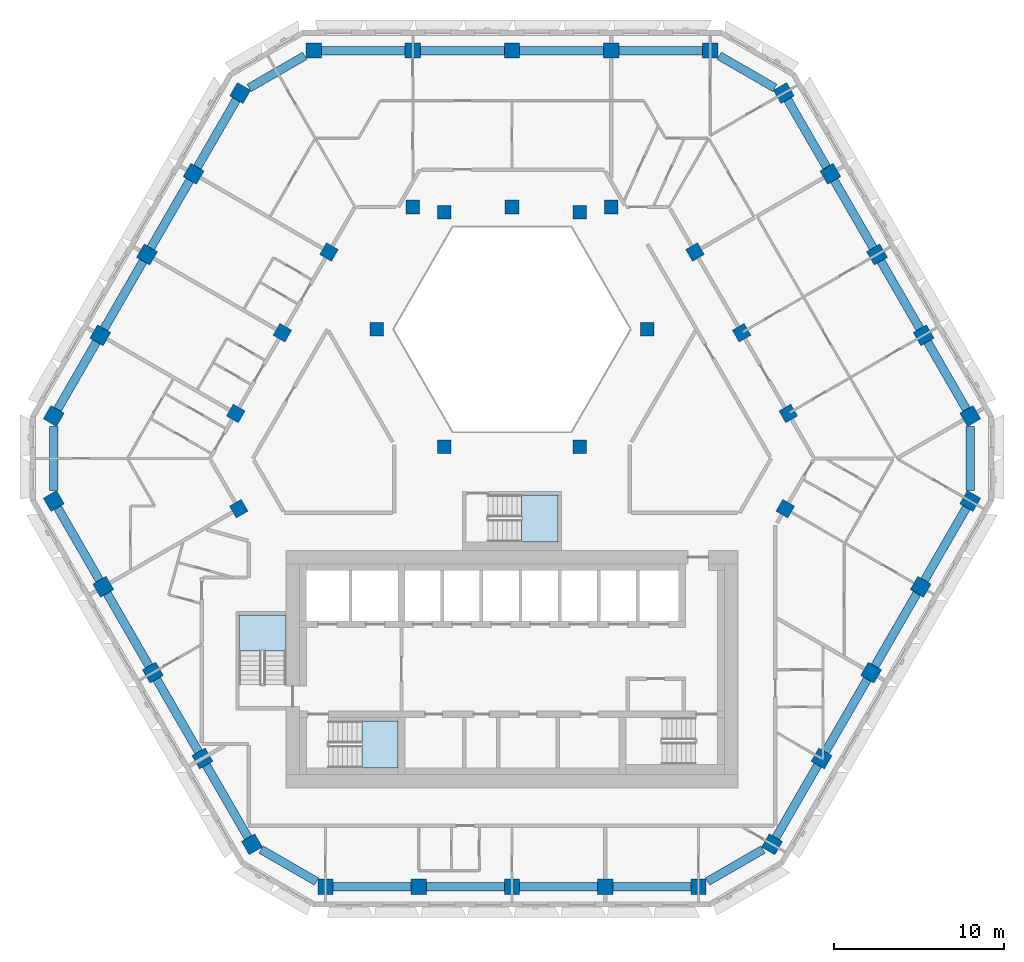
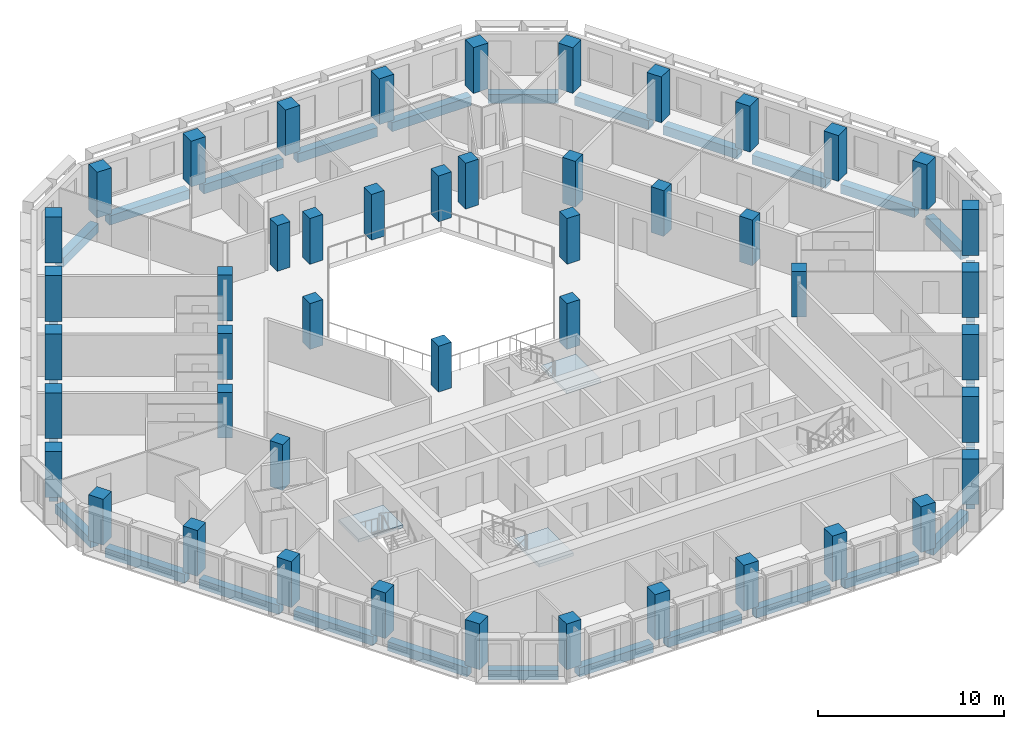
# One storey, part 1 of 17: 47 columns, 30 beams, 3 slabs, 3 elements without a shape of their own.
"""IFC4 building model written with IfcOpenShell, lengths in metres."""

from ifc_helpers import new_model, si_unit, direction, frame, origin, origin_2d, place, context, subcontext, project, spatial, polyline, rectangle, outline, extrude, material, layer, layer_set, material_profile, profile_set, type_object, element, aggregate, save


model = new_model("IFC4")

# Units and contexts
model_context = context("Model", 3, precision=1e-05, world=origin(), true_north=direction((0.0, 1.0)))
body_context = subcontext(model_context, "Body", "Model", "MODEL_VIEW")
ifc_project = project(units=[si_unit("LENGTHUNIT", "METRE"), si_unit("AREAUNIT", "SQUARE_METRE"), si_unit("VOLUMEUNIT", "CUBIC_METRE"), si_unit("PLANEANGLEUNIT", "RADIAN"), si_unit("MASSUNIT", "GRAM", prefix="KILO")], contexts=[model_context])

# Site, building, storey
site_placement = place(None, origin())
site = spatial("IfcSite", under=ifc_project, at=site_placement, CompositionType="ELEMENT")
building_placement = place(site_placement, origin())
building = spatial("IfcBuilding", under=site, at=building_placement, Name="Beryl Residences", CompositionType="ELEMENT")
storey_placement = place(building_placement, frame((0.0, 0.0, 132.60009765625)))
storey = spatial("IfcBuildingStorey", under=building, at=storey_placement, Name="L40", CompositionType="ELEMENT", Elevation=132.60009765625)

# Columns
ifc_material_1 = material(Name="Concrete C60/75", Category="concrete")
ifc_material_profile_1 = material_profile(ifc_material_1, rectangle(XDim=0.89990234375, YDim=0.89990234375, at=origin_2d()))
ifc_profile_set_1 = profile_set([ifc_material_profile_1], Name="Concrete C60/75")
column_type_1 = type_object("IfcColumnType", Name="C3 tube column 900 x 900 C60/75", PredefinedType="COLUMN", material=ifc_profile_set_1)
for number, where, z_axis, x_axis, name in (
    (1, (11.662109375, 24.39990234375, 0.0), (0.0, 0.0, 1.0), (-1.0, 0.0, 0.0), "C3-N1 L40"),
    (2, (5.8310546875, 24.39990234375, 0.0), (0.0, 0.0, 1.0), (-1.0, 0.0, 0.0), "C3-N2 L40"),
    (3, (0.0, 24.39990234375, 0.0), (0.0, 0.0, 1.0), (-1.0, 0.0, 0.0), "C3-N3 L40"),
    (4, (-5.8310546875, 24.39990234375, 0.0), (0.0, 0.0, 1.0), (-1.0, 0.0, 0.0), "C3-N4 L40"),
    (5, (-11.662109375, 24.39990234375, 0.0), (0.0, 0.0, 1.0), (-1.0, 0.0, 0.0), "C3-N5 L40"),
    (6, (-15.992919921875, 21.89990234375, 0.0), (0.0, 0.0, 1.0), (-0.5, -0.866025403784, 0.0), "C3-NW1 L40"),
    (7, (-18.735107421875, 17.14990234375, 0.0), (0.0, 0.0, 1.0), (-0.5, -0.866025403784, 0.0), "C3-NW2 L40"),
    (8, (-21.47802734375, 12.39990234375, 0.0), (0.0, 0.0, 1.0), (-0.5, -0.866025403784, 0.0), "C3-NW3 L40"),
    (9, (-24.219970703125, 7.64990234375, 0.0), (0.0, 0.0, 1.0), (-0.5, -0.866025403784, 0.0), "C3-NW4 L40"),
    (10, (-26.962890625, 2.89990234375, 0.0), (0.0, 0.0, 1.0), (-0.5, -0.866025403784, 0.0), "C3-NW5 L40"),
    (11, (-26.9619140625, -2.10009765625, 0.0), (0.0, 0.0, 1.0), (0.5, -0.866025403784, 0.0), "C3-SW1 L40"),
    (12, (-24.047119140625, -7.14892578125, 0.0), (0.0, 0.0, 1.0), (0.5, -0.866025403784, 0.0), "C3-SW2 L40"),
    (13, (-21.131103515625, -12.198974609375, 0.0), (0.0, 0.0, 1.0), (0.5, -0.866025403784, 0.0), "C3-SW3 L40"),
    (14, (-18.216064453125, -17.2490234375, 0.0), (0.0, 0.0, 1.0), (0.5, -0.866025403784, 0.0), "C3-SW4 L40"),
    (15, (-15.300048828125, -22.299072265625, 0.0), (0.0, 0.0, 1.0), (0.5, -0.866025403784, 0.0), "C3-SW5 L40"),
    (16, (-10.968994140625, -24.800048828125, 0.0), (0.0, 0.0, 1.0), (1.0, 0.0, 0.0), "C3-S1 L40"),
    (17, (-5.48388671875, -24.800048828125, 0.0), (0.0, 0.0, 1.0), (1.0, 0.0, 0.0), "C3-S2 L40"),
    (18, (0.0009765625, -24.800048828125, 0.0), (0.0, 0.0, 1.0), (1.0, 0.0, 0.0), "C3-S3 L40"),
    (19, (5.486083984375, -24.800048828125, 0.0), (0.0, 0.0, 1.0), (1.0, 0.0, 0.0), "C3-S4 L40"),
    (20, (10.970947265625, -24.800048828125, 0.0), (0.0, 0.0, 1.0), (1.0, 0.0, 0.0), "C3-S5 L40"),
    (21, (15.299072265625, -22.300048828125, 0.0), (0.0, 0.0, 1.0), (0.5, 0.866025403784, 0.0), "C3-SE1 L40"),
    (22, (18.215087890625, -17.2509765625, 0.0), (0.0, 0.0, 1.0), (0.5, 0.866025403784, 0.0), "C3-SE2 L40"),
    (23, (21.1298828125, -12.200927734375, 0.0), (0.0, 0.0, 1.0), (0.5, 0.866025403784, 0.0), "C3-SE3 L40"),
    (24, (24.0458984375, -7.15087890625, 0.0), (0.0, 0.0, 1.0), (0.5, 0.866025403784, 0.0), "C3-SE4 L40"),
    (25, (26.9609375, -2.10107421875, 0.0), (0.0, 0.0, 1.0), (0.5, 0.866025403784, 0.0), "C3-SE5 L40"),
    (26, (26.962890625, 2.89990234375, 0.0), (0.0, 0.0, 1.0), (-0.5, 0.866025403784, 0.0), "C3-NE1 L40"),
    (27, (24.219970703125, 7.64990234375, 0.0), (0.0, 0.0, 1.0), (-0.5, 0.866025403784, 0.0), "C3-NE2 L40"),
    (28, (21.47802734375, 12.39990234375, 0.0), (0.0, 0.0, 1.0), (-0.5, 0.866025403784, 0.0), "C3-NE3 L40"),
    (29, (18.735107421875, 17.14990234375, 0.0), (0.0, 0.0, 1.0), (-0.5, 0.866025403784, 0.0), "C3-NE4 L40"),
    (30, (15.992919921875, 21.89990234375, 0.0), (0.0, 0.0, 1.0), (-0.5, 0.866025403784, 0.0), "C3-NE5 L40"),
):
    element("IfcColumn", number, at=place(storey_placement, frame(where, z_axis=z_axis, x_axis=x_axis)), inside=storey, type_object=column_type_1, Name=name, PredefinedType="COLUMN", context=body_context, shape_type="SweptSolid", body=[
        extrude(rectangle(XDim=0.89990234375, YDim=0.89990234375, at=origin_2d()), origin(), (0.0, 0.0, 1.0), 3.0),
    ])
ifc_material_2 = material(Name="Concrete C60/75", Category="concrete")
ifc_material_profile_2 = material_profile(ifc_material_2, rectangle(XDim=0.800048828125, YDim=0.800048828125, at=origin_2d()))
ifc_profile_set_2 = profile_set([ifc_material_profile_2], Name="Concrete C60/75")
column_type_2 = type_object("IfcColumnType", Name="IC3 interior column 800 x 800 C60/75", PredefinedType="COLUMN", material=ifc_profile_set_2)
for number, where, z_axis, x_axis, name in (
    (31, (-16.0791015625, -2.549072265625, 0.0), (0.0, 0.0, 1.0), (0.5, -0.866025403784, 0.0), "IC3-M01 L40"),
    (32, (16.077880859375, -2.551025390625, 0.0), (0.0, 0.0, 1.0), (0.5, 0.866025403784, 0.0), "IC3-M02 L40"),
    (33, (16.2529296875, 3.050048828125, 0.0), (0.0, 0.0, 1.0), (-0.5, 0.866025403784, 0.0), "IC3-M03 L40"),
    (34, (3.98388671875, 1.10009765625, 0.0), (0.0, 0.0, 1.0), (1.0, 0.0, 0.0), "IC3-A04 L40"),
    (35, (13.510009765625, 7.800048828125, 0.0), (0.0, 0.0, 1.0), (-0.5, 0.866025403784, 0.0), "IC3-M05 L40"),
    (36, (7.967041015625, 8.0, 0.0), (0.0, 0.0, 1.0), (1.0, 0.0, 0.0), "IC3-A06 L40"),
    (37, (10.76806640625, 12.550048828125, 0.0), (0.0, 0.0, 1.0), (-0.5, 0.866025403784, 0.0), "IC3-M07 L40"),
    (38, (5.8310546875, 15.199951171875, 0.0), (0.0, 0.0, 1.0), (-1.0, 0.0, 0.0), "IC3-M08 L40"),
    (39, (3.98388671875, 14.89990234375, 0.0), (0.0, 0.0, 1.0), (1.0, 0.0, 0.0), "IC3-A09 L40"),
    (40, (0.0, 15.199951171875, 0.0), (0.0, 0.0, 1.0), (-1.0, 0.0, 0.0), "IC3-M10 L40"),
    (41, (-3.98388671875, 14.89990234375, 0.0), (0.0, 0.0, 1.0), (1.0, 0.0, 0.0), "IC3-A11 L40"),
    (42, (-5.8310546875, 15.199951171875, 0.0), (0.0, 0.0, 1.0), (-1.0, 0.0, 0.0), "IC3-M12 L40"),
    (43, (-10.76806640625, 12.550048828125, 0.0), (0.0, 0.0, 1.0), (-0.5, -0.866025403784, 0.0), "IC3-M13 L40"),
    (44, (-7.967041015625, 8.0, 0.0), (0.0, 0.0, 1.0), (1.0, 0.0, 0.0), "IC3-A14 L40"),
    (45, (-13.510009765625, 7.800048828125, 0.0), (0.0, 0.0, 1.0), (-0.5, -0.866025403784, 0.0), "IC3-M15 L40"),
    (46, (-3.98388671875, 1.10009765625, 0.0), (0.0, 0.0, 1.0), (1.0, 0.0, 0.0), "IC3-A16 L40"),
    (47, (-16.2529296875, 3.050048828125, 0.0), (0.0, 0.0, 1.0), (-0.5, -0.866025403784, 0.0), "IC3-M17 L40"),
):
    element("IfcColumn", number, at=place(storey_placement, frame(where, z_axis=z_axis, x_axis=x_axis)), inside=storey, type_object=column_type_2, Name=name, PredefinedType="COLUMN", context=body_context, shape_type="SweptSolid", body=[
        extrude(rectangle(XDim=0.800048828125, YDim=0.800048828125, at=origin_2d()), origin(), (0.0, 0.0, 1.0), 3.0),
    ])

# Beams
ifc_material_3 = material(Name="Concrete C60/75", Category="concrete")
ifc_material_profile_3 = material_profile(ifc_material_3, rectangle(XDim=0.5, YDim=0.60009765625, at=origin_2d()))
ifc_profile_set_3 = profile_set([ifc_material_profile_3], Name="Concrete C60/75")
beam_type = type_object("IfcBeamType", Name="SB3 spandrel beam 500 x 600 C60/75", PredefinedType="SPANDREL", material=ifc_profile_set_3)
beam_1_placement = place(storey_placement, frame((11.2119140625, 24.39990234375, -0.60009765625), z_axis=(-1.0, 0.0, 0.0), x_axis=(0.0, -1.0, 0.0)))
element("IfcBeam", 48, at=beam_1_placement, inside=storey, type_object=beam_type, Name="SB3 L40 N-0", PredefinedType="SPANDREL", context=body_context, shape_type="SweptSolid", body=[
    extrude(rectangle(XDim=0.5, YDim=0.60009765625, at=origin_2d()), origin(), (0.0, 0.0, 1.0), 4.930908203125),
])
for number, where, z_axis, x_axis, name in (
    (49, (5.381103515625, 24.39990234375, -0.60009765625), (-1.0, 0.0, 0.0), (0.0, -1.0, 0.0), "SB3 L40 N-1"),
    (50, (-0.449951171875, 24.39990234375, -0.60009765625), (-1.0, 0.0, 0.0), (0.0, -1.0, 0.0), "SB3 L40 N-2"),
):
    element("IfcBeam", number, at=place(storey_placement, frame(where, z_axis=z_axis, x_axis=x_axis)), inside=storey, type_object=beam_type, Name=name, PredefinedType="SPANDREL", context=body_context, shape_type="SweptSolid", body=[
        extrude(rectangle(XDim=0.5, YDim=0.60009765625, at=origin_2d()), origin(), (0.0, 0.0, 1.0), 4.93115234375),
    ])
beam_2_placement = place(storey_placement, frame((-6.281005859375, 24.39990234375, -0.60009765625), z_axis=(-1.0, 0.0, 0.0), x_axis=(0.0, -1.0, 0.0)))
element("IfcBeam", 51, at=beam_2_placement, inside=storey, type_object=beam_type, Name="SB3 L40 N-3", PredefinedType="SPANDREL", context=body_context, shape_type="SweptSolid", body=[
    extrude(rectangle(XDim=0.5, YDim=0.60009765625, at=origin_2d()), origin(), (0.0, 0.0, 1.0), 4.930908203125),
])
beam_3_placement = place(storey_placement, frame((-12.194091796875, 24.093017578125, -0.60009765625), z_axis=(-0.866040087317, -0.499974566514, 0.0), x_axis=(0.499974566514, -0.866040087317, 0.0)))
element("IfcBeam", 52, at=beam_3_placement, inside=storey, type_object=beam_type, Name="SB3 L40 N-4", PredefinedType="SPANDREL", context=body_context, shape_type="SweptSolid", body=[
    extrude(rectangle(XDim=0.5, YDim=0.60009765625, at=origin_2d()), origin(), (0.0, 0.0, 1.0), 3.772216796875),
])
beam_4_placement = place(storey_placement, frame((-16.218017578125, 21.510009765625, -0.60009765625), z_axis=(-0.49998830735, -0.866032154434, 0.0), x_axis=(0.866032154434, -0.49998830735, 0.0)))
element("IfcBeam", 53, at=beam_4_placement, inside=storey, type_object=beam_type, Name="SB3 L40 NW-0", PredefinedType="SPANDREL", context=body_context, shape_type="SweptSolid", body=[
    extrude(rectangle(XDim=0.5, YDim=0.60009765625, at=origin_2d()), origin(), (0.0, 0.0, 1.0), 4.583984375),
])
beam_5_placement = place(storey_placement, frame((-18.9599609375, 16.760009765625, -0.60009765625), z_axis=(-0.500148059018, -0.865939904993, 0.0), x_axis=(0.865939904993, -0.500148059018, 0.0)))
element("IfcBeam", 54, at=beam_5_placement, inside=storey, type_object=beam_type, Name="SB3 L40 NW-1", PredefinedType="SPANDREL", context=body_context, shape_type="SweptSolid", body=[
    extrude(rectangle(XDim=0.5, YDim=0.60009765625, at=origin_2d()), origin(), (0.0, 0.0, 1.0), 4.58447265625),
])
beam_6_placement = place(storey_placement, frame((-21.702880859375, 12.010009765625, -0.60009765625), z_axis=(-0.500028250054, -0.866009092994, 0.0), x_axis=(0.866009092994, -0.500028250054, 0.0)))
element("IfcBeam", 55, at=beam_6_placement, inside=storey, type_object=beam_type, Name="SB3 L40 NW-2", PredefinedType="SPANDREL", context=body_context, shape_type="SweptSolid", body=[
    extrude(rectangle(XDim=0.5, YDim=0.60009765625, at=origin_2d()), origin(), (0.0, 0.0, 1.0), 4.584228515625),
])
beam_7_placement = place(storey_placement, frame((-24.445068359375, 7.260009765625, -0.60009765625), z_axis=(-0.500148059018, -0.865939904993, 0.0), x_axis=(0.865939904993, -0.500148059018, 0.0)))
element("IfcBeam", 56, at=beam_7_placement, inside=storey, type_object=beam_type, Name="SB3 L40 NW-3", PredefinedType="SPANDREL", context=body_context, shape_type="SweptSolid", body=[
    extrude(rectangle(XDim=0.5, YDim=0.60009765625, at=origin_2d()), origin(), (0.0, 0.0, 1.0), 4.58447265625),
])
beam_8_placement = place(storey_placement, frame((-26.962890625, 2.285888671875, -0.60009765625), z_axis=(0.000258899668, -0.999999966485, 0.0), x_axis=(0.999999966485, 0.000258899668, 0.0)))
element("IfcBeam", 57, at=beam_8_placement, inside=storey, type_object=beam_type, Name="SB3 L40 NW-4", PredefinedType="SPANDREL", context=body_context, shape_type="SweptSolid", body=[
    extrude(rectangle(XDim=0.5, YDim=0.60009765625, at=origin_2d()), origin(), (0.0, 0.0, 1.0), 3.77197265625),
])
beam_9_placement = place(storey_placement, frame((-26.737060546875, -2.489990234375, -0.60009765625), z_axis=(0.50005397607, -0.865994238443, 0.0), x_axis=(0.865994238443, 0.50005397607, 0.0)))
element("IfcBeam", 58, at=beam_9_placement, inside=storey, type_object=beam_type, Name="SB3 L40 SW-0", PredefinedType="SPANDREL", context=body_context, shape_type="SweptSolid", body=[
    extrude(rectangle(XDim=0.5, YDim=0.60009765625, at=origin_2d()), origin(), (0.0, 0.0, 1.0), 4.9296875),
])
beam_10_placement = place(storey_placement, frame((-23.822021484375, -7.5390625, -0.60009765625), z_axis=(0.500116736097, -0.865957995677, 0.0), x_axis=(0.865957995677, 0.500116736097, 0.0)))
element("IfcBeam", 59, at=beam_10_placement, inside=storey, type_object=beam_type, Name="SB3 L40 SW-1", PredefinedType="SPANDREL", context=body_context, shape_type="SweptSolid", body=[
    extrude(rectangle(XDim=0.5, YDim=0.60009765625, at=origin_2d()), origin(), (0.0, 0.0, 1.0), 4.930908203125),
])
beam_11_placement = place(storey_placement, frame((-20.906005859375, -12.589111328125, -0.60009765625), z_axis=(0.499989643469, -0.866031383048, 0.0), x_axis=(0.866031383048, 0.499989643469, 0.0)))
element("IfcBeam", 60, at=beam_11_placement, inside=storey, type_object=beam_type, Name="SB3 L40 SW-2", PredefinedType="SPANDREL", context=body_context, shape_type="SweptSolid", body=[
    extrude(rectangle(XDim=0.5, YDim=0.60009765625, at=origin_2d()), origin(), (0.0, 0.0, 1.0), 4.93017578125),
])
beam_12_placement = place(storey_placement, frame((-17.990966796875, -17.638916015625, -0.60009765625), z_axis=(0.500116736097, -0.865957995677, 0.0), x_axis=(0.865957995677, 0.500116736097, 0.0)))
element("IfcBeam", 61, at=beam_12_placement, inside=storey, type_object=beam_type, Name="SB3 L40 SW-3", PredefinedType="SPANDREL", context=body_context, shape_type="SweptSolid", body=[
    extrude(rectangle(XDim=0.5, YDim=0.60009765625, at=origin_2d()), origin(), (0.0, 0.0, 1.0), 4.930908203125),
])
beam_13_placement = place(storey_placement, frame((-14.76806640625, -22.60595703125, -0.60009765625), z_axis=(0.865944170592, -0.500140673629, 0.0), x_axis=(0.500140673629, 0.865944170592, 0.0)))
element("IfcBeam", 62, at=beam_13_placement, inside=storey, type_object=beam_type, Name="SB3 L40 SW-4", PredefinedType="SPANDREL", context=body_context, shape_type="SweptSolid", body=[
    extrude(rectangle(XDim=0.5, YDim=0.60009765625, at=origin_2d()), origin(), (0.0, 0.0, 1.0), 3.77294921875),
])
for number, where, z_axis, x_axis, name in (
    (63, (-10.51904296875, -24.800048828125, -0.60009765625), (1.0, 0.0, 0.0), (0.0, 1.0, 0.0), "SB3 L40 S-0"),
    (64, (-5.033935546875, -24.800048828125, -0.60009765625), (1.0, 0.0, 0.0), (0.0, 1.0, 0.0), "SB3 L40 S-1"),
    (65, (0.450927734375, -24.800048828125, -0.60009765625), (1.0, 0.0, 0.0), (0.0, 1.0, 0.0), "SB3 L40 S-2"),
    (66, (5.93603515625, -24.800048828125, -0.60009765625), (1.0, 0.0, 0.0), (0.0, 1.0, 0.0), "SB3 L40 S-3"),
):
    element("IfcBeam", number, at=place(storey_placement, frame(where, z_axis=z_axis, x_axis=x_axis)), inside=storey, type_object=beam_type, Name=name, PredefinedType="SPANDREL", context=body_context, shape_type="SweptSolid", body=[
        extrude(rectangle(XDim=0.5, YDim=0.60009765625, at=origin_2d()), origin(), (0.0, 0.0, 1.0), 4.5849609375),
    ])
beam_14_placement = place(storey_placement, frame((11.5029296875, -24.492919921875, -0.60009765625), z_axis=(0.865861956233, 0.500282992663, 0.0), x_axis=(-0.500282992663, 0.865861956233, 0.0)))
element("IfcBeam", 67, at=beam_14_placement, inside=storey, type_object=beam_type, Name="SB3 L40 S-4", PredefinedType="SPANDREL", context=body_context, shape_type="SweptSolid", body=[
    extrude(rectangle(XDim=0.5, YDim=0.60009765625, at=origin_2d()), origin(), (0.0, 0.0, 1.0), 3.769775390625),
])
beam_15_placement = place(storey_placement, frame((15.52392578125, -21.909912109375, -0.60009765625), z_axis=(0.500223967704, 0.86589605735, 0.0), x_axis=(-0.86589605735, 0.500223967704, 0.0)))
element("IfcBeam", 68, at=beam_15_placement, inside=storey, type_object=beam_type, Name="SB3 L40 SE-0", PredefinedType="SPANDREL", context=body_context, shape_type="SweptSolid", body=[
    extrude(rectangle(XDim=0.5, YDim=0.60009765625, at=origin_2d()), origin(), (0.0, 0.0, 1.0), 4.929931640625),
])
beam_16_placement = place(storey_placement, frame((18.43994140625, -16.861083984375, -0.60009765625), z_axis=(0.499968202334, 0.866043761397, 0.0), x_axis=(-0.866043761397, 0.499968202334, 0.0)))
element("IfcBeam", 69, at=beam_16_placement, inside=storey, type_object=beam_type, Name="SB3 L40 SE-1", PredefinedType="SPANDREL", context=body_context, shape_type="SweptSolid", body=[
    extrude(rectangle(XDim=0.5, YDim=0.60009765625, at=origin_2d()), origin(), (0.0, 0.0, 1.0), 4.930419921875),
])
beam_17_placement = place(storey_placement, frame((21.35498046875, -11.81103515625, -0.60009765625), z_axis=(0.500116736097, 0.865957995677, 0.0), x_axis=(-0.865957995677, 0.500116736097, 0.0)))
element("IfcBeam", 70, at=beam_17_placement, inside=storey, type_object=beam_type, Name="SB3 L40 SE-2", PredefinedType="SPANDREL", context=body_context, shape_type="SweptSolid", body=[
    extrude(rectangle(XDim=0.5, YDim=0.60009765625, at=origin_2d()), origin(), (0.0, 0.0, 1.0), 4.930908203125),
])
beam_18_placement = place(storey_placement, frame((24.27099609375, -6.760986328125, -0.60009765625), z_axis=(0.499968202334, 0.866043761397, 0.0), x_axis=(-0.866043761397, 0.499968202334, 0.0)))
element("IfcBeam", 71, at=beam_18_placement, inside=storey, type_object=beam_type, Name="SB3 L40 SE-3", PredefinedType="SPANDREL", context=body_context, shape_type="SweptSolid", body=[
    extrude(rectangle(XDim=0.5, YDim=0.60009765625, at=origin_2d()), origin(), (0.0, 0.0, 1.0), 4.930419921875),
])
beam_19_placement = place(storey_placement, frame((26.9609375, -1.487060546875, -0.60009765625), z_axis=(0.00051766526, 0.999999866011, 0.0), x_axis=(-0.999999866011, 0.00051766526, 0.0)))
element("IfcBeam", 72, at=beam_19_placement, inside=storey, type_object=beam_type, Name="SB3 L40 SE-4", PredefinedType="SPANDREL", context=body_context, shape_type="SweptSolid", body=[
    extrude(rectangle(XDim=0.5, YDim=0.60009765625, at=origin_2d()), origin(), (0.0, 0.0, 1.0), 3.77294921875),
])
beam_20_placement = place(storey_placement, frame((26.738037109375, 3.2900390625, -0.60009765625), z_axis=(-0.500148059018, 0.865939904993, 0.0), x_axis=(-0.865939904993, -0.500148059018, 0.0)))
element("IfcBeam", 73, at=beam_20_placement, inside=storey, type_object=beam_type, Name="SB3 L40 NE-0", PredefinedType="SPANDREL", context=body_context, shape_type="SweptSolid", body=[
    extrude(rectangle(XDim=0.5, YDim=0.60009765625, at=origin_2d()), origin(), (0.0, 0.0, 1.0), 4.58447265625),
])
beam_21_placement = place(storey_placement, frame((23.9951171875, 8.0400390625, -0.60009765625), z_axis=(-0.500028250054, 0.866009092994, 0.0), x_axis=(-0.866009092994, -0.500028250054, 0.0)))
element("IfcBeam", 74, at=beam_21_placement, inside=storey, type_object=beam_type, Name="SB3 L40 NE-1", PredefinedType="SPANDREL", context=body_context, shape_type="SweptSolid", body=[
    extrude(rectangle(XDim=0.5, YDim=0.60009765625, at=origin_2d()), origin(), (0.0, 0.0, 1.0), 4.584228515625),
])
beam_22_placement = place(storey_placement, frame((21.2529296875, 12.7900390625, -0.60009765625), z_axis=(-0.500148059018, 0.865939904993, 0.0), x_axis=(-0.865939904993, -0.500148059018, 0.0)))
element("IfcBeam", 75, at=beam_22_placement, inside=storey, type_object=beam_type, Name="SB3 L40 NE-2", PredefinedType="SPANDREL", context=body_context, shape_type="SweptSolid", body=[
    extrude(rectangle(XDim=0.5, YDim=0.60009765625, at=origin_2d()), origin(), (0.0, 0.0, 1.0), 4.58447265625),
])
beam_23_placement = place(storey_placement, frame((18.510009765625, 17.5400390625, -0.60009765625), z_axis=(-0.49998830735, 0.866032154434, 0.0), x_axis=(-0.866032154434, -0.49998830735, 0.0)))
element("IfcBeam", 76, at=beam_23_placement, inside=storey, type_object=beam_type, Name="SB3 L40 NE-3", PredefinedType="SPANDREL", context=body_context, shape_type="SweptSolid", body=[
    extrude(rectangle(XDim=0.5, YDim=0.60009765625, at=origin_2d()), origin(), (0.0, 0.0, 1.0), 4.583984375),
])
beam_24_placement = place(storey_placement, frame((15.4609375, 22.20703125, -0.60009765625), z_axis=(-0.866040087317, 0.499974566514, 0.0), x_axis=(-0.499974566514, -0.866040087317, 0.0)))
element("IfcBeam", 77, at=beam_24_placement, inside=storey, type_object=beam_type, Name="SB3 L40 NE-4", PredefinedType="SPANDREL", context=body_context, shape_type="SweptSolid", body=[
    extrude(rectangle(XDim=0.5, YDim=0.60009765625, at=origin_2d()), origin(), (0.0, 0.0, 1.0), 3.772216796875),
])

# Stair, slab
ifc_material_4 = material(Name="Concrete C40/50", Category="concrete")
stair_type = type_object("IfcStairType", Name="ST1 protected exit stair, half-turn, 1300 mm flights", PredefinedType="HALF_TURN_STAIR", material=ifc_material_4)
stair_1_placement = place(storey_placement, origin())
stair_1 = element("IfcStair", 78, at=stair_1_placement, inside=storey, type_object=stair_type, Name="L40 PROTECTED EXIT STAIR ST-1", PredefinedType="HALF_TURN_STAIR")
ifc_material_5 = material(Name="Concrete C40/50", Category="concrete")
ifc_layer = layer(ifc_material_5, 0.199951171875)
ifc_layer_set = layer_set([ifc_layer], Name="SLD1 stair landing 200 mm")
slab_type = type_object("IfcSlabType", Name="SLD1 stair landing 200 mm", PredefinedType="LANDING", material=ifc_layer_set)
slab_1_placement = place(storey_placement, frame((0.0, 0.0, 1.2998046875)))
slab_1 = element("IfcSlab", 79, at=slab_1_placement, type_object=slab_type, Name="ST-1 landing 1", PredefinedType="LANDING", context=body_context, shape_type="SweptSolid", body=[
    extrude(outline(polyline([(-8.840087890625, -17.800048828125), (-6.699951171875, -17.800048828125), (-6.699951171875, -15.050048828125), (-8.840087890625, -15.050048828125), (-8.840087890625, -17.800048828125)])), origin(), (0.0, 0.0, 1.0), 0.2001953125),
])
aggregate(stair_1, [slab_1])

stair_2_placement = place(storey_placement, origin())
stair_2 = element("IfcStair", 80, at=stair_2_placement, inside=storey, type_object=stair_type, Name="L40 PROTECTED EXIT STAIR ST-2", PredefinedType="HALF_TURN_STAIR")
slab_2_placement = place(storey_placement, frame((0.0, 0.0, 1.2998046875)))
slab_2 = element("IfcSlab", 81, at=slab_2_placement, type_object=slab_type, Name="ST-2 landing 1", PredefinedType="LANDING", context=body_context, shape_type="SweptSolid", body=[
    extrude(outline(polyline([(-13.300048828125, -10.93994140625), (-13.300048828125, -8.800048828125), (-16.050048828125, -8.800048828125), (-16.050048828125, -10.93994140625), (-13.300048828125, -10.93994140625)])), origin(), (0.0, 0.0, 1.0), 0.2001953125),
])
aggregate(stair_2, [slab_2])

stair_3_placement = place(storey_placement, origin())
stair_3 = element("IfcStair", 82, at=stair_3_placement, inside=storey, type_object=stair_type, Name="L40 PROTECTED EXIT STAIR ST-4", PredefinedType="HALF_TURN_STAIR")
slab_3_placement = place(storey_placement, frame((0.0, 0.0, 1.2998046875)))
slab_3 = element("IfcSlab", 83, at=slab_3_placement, type_object=slab_type, Name="ST-4 landing 1", PredefinedType="LANDING", context=body_context, shape_type="SweptSolid", body=[
    extrude(outline(polyline([(0.56005859375, -4.5), (2.699951171875, -4.5), (2.699951171875, -1.75), (0.56005859375, -1.75), (0.56005859375, -4.5)])), origin(), (0.0, 0.0, 1.0), 0.2001953125),
])
aggregate(stair_3, [slab_3])

save(model, "model.ifc")
